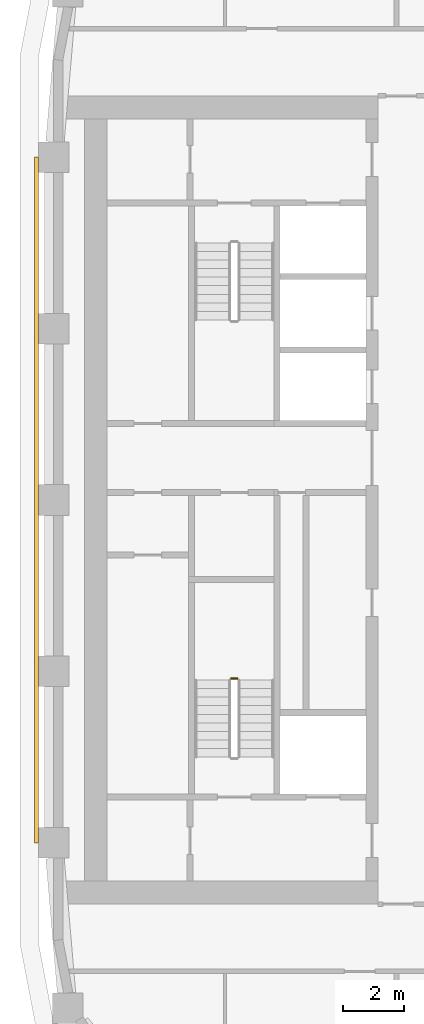
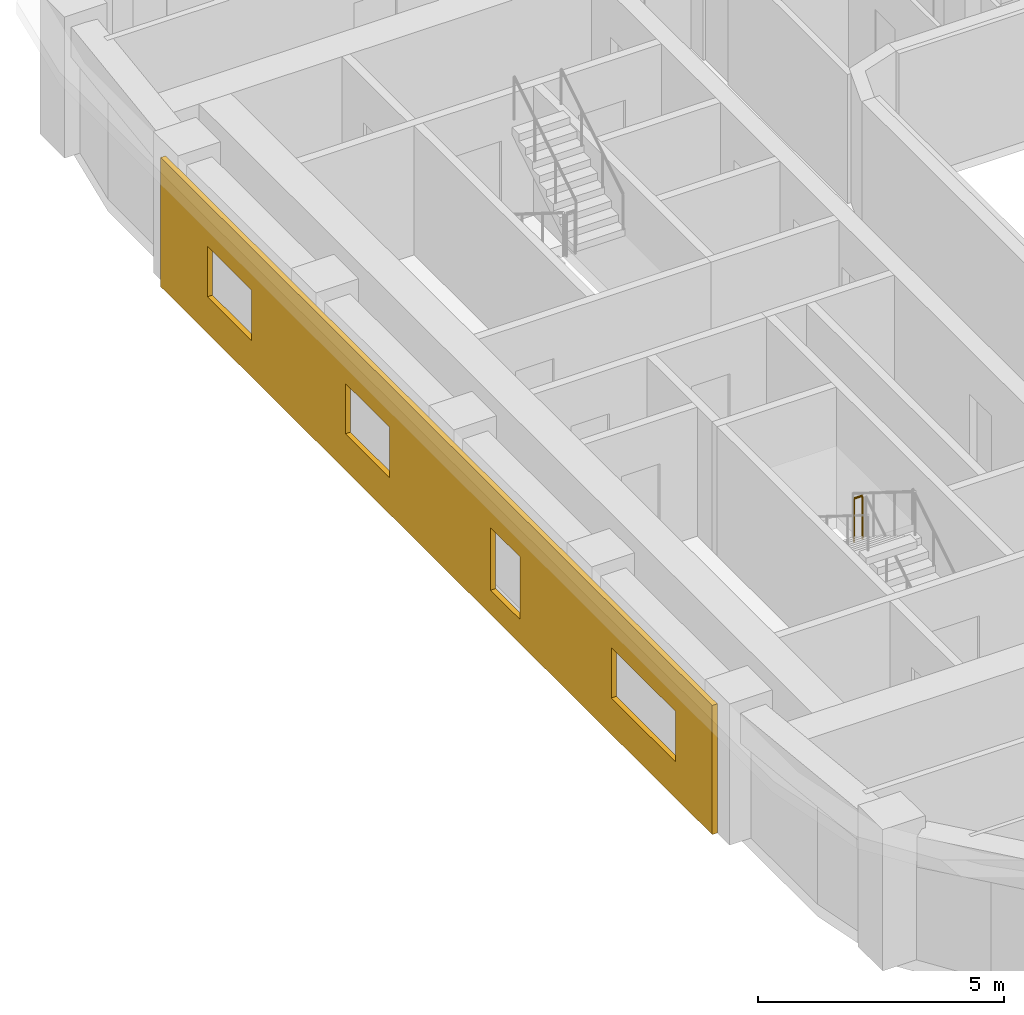
# One storey, part 13 of 22: 1 covering, 1 railing.
"""IFC4 building model written with IfcOpenShell, lengths in metres."""

from ifc_helpers import new_model, si_unit, direction, frame, origin, origin_2d, place, context, subcontext, project, spatial, polyline, circle, outline, extrude, material, layer, layer_set, type_object, element, save


model = new_model("IFC4")

# Units and contexts
model_context = context("Model", 3, precision=1e-05, world=origin(), true_north=direction((0.0, 1.0)))
body_context = subcontext(model_context, "Body", "Model", "MODEL_VIEW")
ifc_project = project(units=[si_unit("LENGTHUNIT", "METRE"), si_unit("AREAUNIT", "SQUARE_METRE"), si_unit("VOLUMEUNIT", "CUBIC_METRE"), si_unit("PLANEANGLEUNIT", "RADIAN"), si_unit("MASSUNIT", "GRAM", prefix="KILO")], contexts=[model_context])

# Site, building, storey
site_placement = place(None, origin())
site = spatial("IfcSite", under=ifc_project, at=site_placement, CompositionType="ELEMENT")
building_placement = place(site_placement, origin())
building = spatial("IfcBuilding", under=site, at=building_placement, Name="Kiln Ring Residences", CompositionType="ELEMENT")
storey_placement = place(building_placement, frame((0.0, 0.0, 171.10009765625)))
storey = spatial("IfcBuildingStorey", under=building, at=storey_placement, Name="L44", CompositionType="ELEMENT", Elevation=171.10009765625)

# Railing
ifc_material_1 = material(Name="Stainless steel", Category="steel")
railing_type = type_object("IfcRailingType", Name="CORE-STAIR-GUARD", PredefinedType="GUARDRAIL", material=ifc_material_1)
railing_placement = place(storey_placement, frame((-22.0, -5.830078125, 1.75)))
element("IfcRailing", 1, at=railing_placement, inside=storey, type_object=railing_type, Name="L44 W-STS stair guard 2", PredefinedType="GUARDRAIL", context=body_context, shape_type="SweptSolid", body=[
    extrude(circle(Radius=0.02392578125, at=origin_2d()), frame((0.0, 0.0, 1.076171875), z_axis=(-1.0, 0.0, 0.0), x_axis=(0.0, -1.0, 0.0)), (0.0, 0.0, 1.0), 0.199951171875),
    extrude(circle(Radius=0.02099609375, at=origin_2d()), origin(), (0.0, 0.0, 1.0), 1.052001953125),
    extrude(circle(Radius=0.02099609375, at=origin_2d()), frame((-0.199951171875, 0.0, 0.0)), (0.0, 0.0, 1.0), 1.052001953125),
])

# Covering
ifc_material_2 = material(Name="Brick masonry, dark clay brick", Category="masonry")
ifc_layer = layer(ifc_material_2, 0.1201171875)
ifc_layer_set = layer_set([ifc_layer], Name="RAINSCREEN PANEL 120")
covering_type = type_object("IfcCoveringType", Name="RAINSCREEN PANEL 120", PredefinedType="CLADDING", material=ifc_layer_set)
covering_placement = place(storey_placement, frame((-28.56005859375, 11.199951171875, 0.0), z_axis=(0.0, 0.0, 1.0), x_axis=(0.0, -1.0, 0.0)))
element("IfcCovering", 2, at=covering_placement, inside=storey, type_object=covering_type, Name="RAINSCREEN L44", PredefinedType="CLADDING", context=body_context, shape_type="SweptSolid", body=[
    extrude(outline(polyline([(0.0, 0.0), (22.39990234375, 0.0), (22.39990234375, 3.199951171875), (0.0, 3.199951171875), (0.0, 0.0)]), holes=[polyline([(14.60009765625, 0.599853515625), (14.60009765625, 2.14990234375), (13.39990234375, 2.14990234375), (13.39990234375, 0.599853515625), (14.60009765625, 0.599853515625)]), polyline([(3.699951171875, 0.89990234375), (3.699951171875, 2.14990234375), (1.89990234375, 2.14990234375), (1.89990234375, 0.89990234375), (3.699951171875, 0.89990234375)]), polyline([(9.300048828125, 0.89990234375), (9.300048828125, 2.14990234375), (7.5, 2.14990234375), (7.5, 0.89990234375), (9.300048828125, 0.89990234375)]), polyline([(20.89990234375, 0.89990234375), (20.89990234375, 2.14990234375), (18.300048828125, 2.14990234375), (18.300048828125, 0.89990234375), (20.89990234375, 0.89990234375)])]), frame((0.0, 0.06005859375, 0.0), z_axis=(0.0, -1.0, 0.0), x_axis=(1.0, 0.0, 0.0)), (0.0, 0.0, 1.0), 0.1201171875),
])

save(model, "model.ifc")
